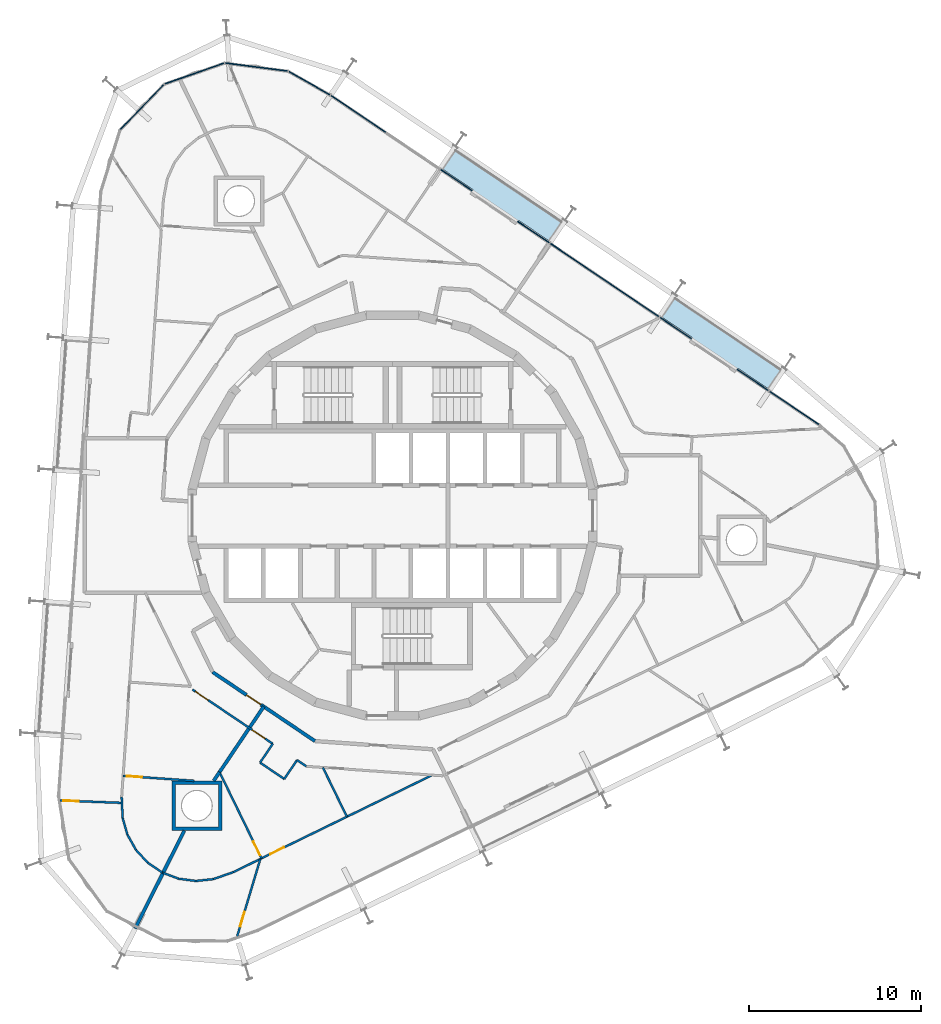
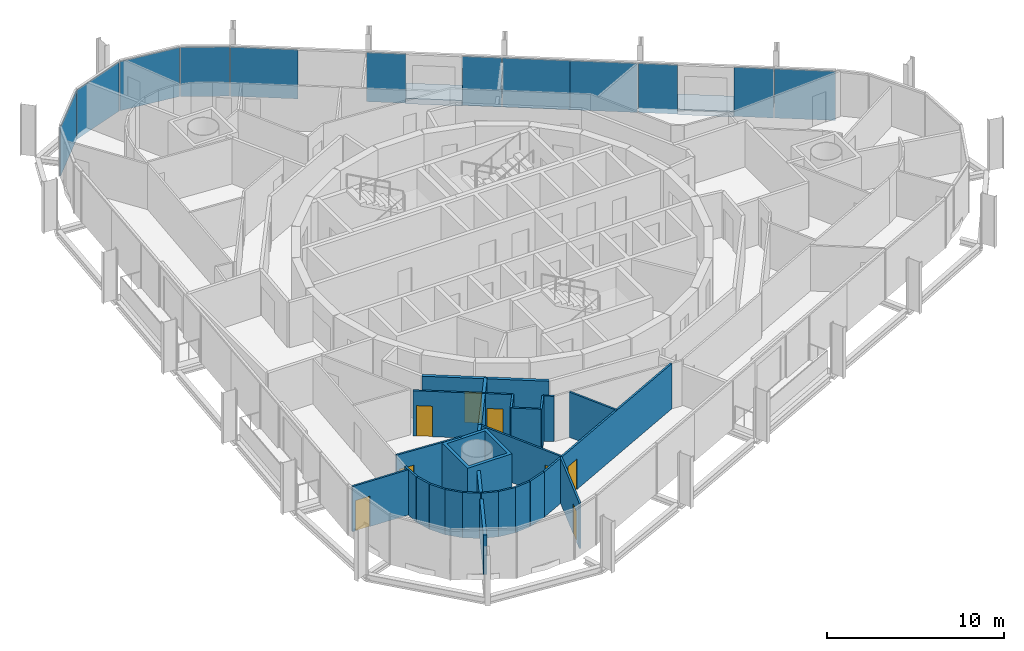
# One storey, part 11 of 18: 25 walls, 12 plates, 8 doors, 2 slabs, 8 openings, 3 elements without a shape of their own.
"""IFC4 building model written with IfcOpenShell, lengths in metres."""

from ifc_helpers import new_model, si_unit, direction, frame, frame_2d, origin, origin_2d, place, context, subcontext, project, spatial, polyline, rectangle, outline, extrude, material, layer, layer_set, type_object, element, fill, aggregate, save


model = new_model("IFC4")

# Units and contexts
model_context = context("Model", 3, precision=1e-05, world=origin(), true_north=direction((0.0, 1.0)))
body_context = subcontext(model_context, "Body", "Model", "MODEL_VIEW")
ifc_project = project(units=[si_unit("LENGTHUNIT", "METRE"), si_unit("AREAUNIT", "SQUARE_METRE"), si_unit("VOLUMEUNIT", "CUBIC_METRE"), si_unit("PLANEANGLEUNIT", "RADIAN"), si_unit("MASSUNIT", "GRAM", prefix="KILO")], contexts=[model_context])

# Site, building, storey
site_placement = place(None, origin())
site = spatial("IfcSite", under=ifc_project, at=site_placement, CompositionType="ELEMENT")
building_placement = place(site_placement, origin())
building = spatial("IfcBuilding", under=site, at=building_placement, Name="Spindle Arch Residences", CompositionType="ELEMENT")
storey_placement = place(building_placement, frame((0.0, 0.0, 205.89990234375)))
storey = spatial("IfcBuildingStorey", under=building, at=storey_placement, Name="L52", CompositionType="ELEMENT", Elevation=205.89990234375)

# Slabs
ifc_material_1 = material(Name="Concrete C40/50", Category="concrete")
ifc_layer_1 = layer(ifc_material_1, 0.3798828125)
ifc_layer_set_1 = layer_set([ifc_layer_1], Name="Balcony slab 380")
slab_type = type_object("IfcSlabType", Name="Balcony slab 380", PredefinedType="FLOOR", material=ifc_layer_set_1)
slab_1_placement = place(storey_placement, frame((0.0, 0.0, -0.3798828125)))
element("IfcSlab", 1, at=slab_1_placement, inside=storey, type_object=slab_type, Name="Balcony L52 bay 6", PredefinedType="FLOOR", context=body_context, shape_type="SweptSolid", body=[
    extrude(outline(polyline([(22.720703125, 8.594970703125), (22.658447265625, 8.63671875), (22.57470703125, 8.512451171875), (16.445068359375, 12.64697265625), (16.52880859375, 12.771240234375), (16.466796875, 12.813232421875), (15.633544921875, 11.578125), (17.43408203125, 10.363525390625), (17.344482421875, 10.23095703125), (19.99755859375, 8.44140625), (20.0869140625, 8.57421875), (21.887451171875, 7.359619140625), (22.720703125, 8.594970703125)])), origin(), (0.0, 0.0, 1.0), 0.3798828125),
])
slab_2_placement = place(storey_placement, frame((0.0, 0.0, -0.3798828125)))
element("IfcSlab", 2, at=slab_2_placement, inside=storey, type_object=slab_type, Name="Balcony L52 bay 8", PredefinedType="FLOOR", context=body_context, shape_type="SweptSolid", body=[
    extrude(outline(polyline([(9.9638671875, 17.199462890625), (9.90185546875, 17.241455078125), (9.81787109375, 17.116943359375), (3.688232421875, 21.25146484375), (3.772216796875, 21.3759765625), (3.7099609375, 21.417724609375), (2.876708984375, 20.1826171875), (4.67724609375, 18.968017578125), (4.587890625, 18.83544921875), (7.24072265625, 17.0458984375), (7.330322265625, 17.1787109375), (9.130859375, 15.964111328125), (9.9638671875, 17.199462890625)])), origin(), (0.0, 0.0, 1.0), 0.3798828125),
])

# Curtain wall, plate
ifc_material_2 = material(Name="Aluminium bronze unitised frame with tinted glass", Category="aluminium")
ifc_layer_2 = layer(ifc_material_2, 0.159912109375)
ifc_layer_set_2 = layer_set([ifc_layer_2], Name="CW-D corner wall on the fillet arcs")
curtain_wall_type_1 = type_object("IfcCurtainWallType", Name="CW-D corner wall on the fillet arcs", PredefinedType="NOTDEFINED", material=ifc_layer_set_2)
curtain_wall_1_placement = place(storey_placement, origin())
curtain_wall_1 = element("IfcCurtainWall", 3, at=curtain_wall_1_placement, inside=storey, type_object=curtain_wall_type_1, Name="CW-D L52 run 1", PredefinedType="NOTDEFINED")
ifc_material_3 = material(Name="Tinted double glazing over aluminium faced non-combustible spandrel zone (K0)", Category="aluminium")
ifc_layer_3 = layer(ifc_material_3, 0.06005859375)
ifc_layer_set_3 = layer_set([ifc_layer_3], Name="Unitised glass panel with E 60 spandrel zone")
plate_type = type_object("IfcPlateType", Name="Unitised glass panel with E 60 spandrel zone", PredefinedType="CURTAIN_PANEL", material=ifc_layer_set_3)
plate_1_placement = place(storey_placement, frame((23.36767578125, 6.264892578125, -0.3798828125), z_axis=(0.0, 0.0, 1.0), x_axis=(-0.829037572555, 0.559192903471, 0.0)))
plate_1 = element("IfcPlate", 4, at=plate_1_placement, type_object=plate_type, Name="CW-D unit 06", PredefinedType="CURTAIN_PANEL", context=body_context, shape_type="SweptSolid", body=[
    extrude(rectangle(XDim=3.468505859375, YDim=0.06005859375, at=origin_2d()), origin(), (0.0, 0.0, 1.0), 3.3798828125),
])
aggregate(curtain_wall_1, [plate_1])

# Curtain wall, plates
ifc_material_4 = material(Name="Aluminium bronze unitised frame with tinted glass", Category="aluminium")
ifc_layer_4 = layer(ifc_material_4, 0.159912109375)
ifc_layer_set_4 = layer_set([ifc_layer_4], Name="CW-C typical residential unitised wall")
curtain_wall_type_2 = type_object("IfcCurtainWallType", Name="CW-C typical residential unitised wall", PredefinedType="NOTDEFINED", material=ifc_layer_set_4)
curtain_wall_2_placement = place(storey_placement, origin())
curtain_wall_2 = element("IfcCurtainWall", 5, at=curtain_wall_2_placement, inside=storey, type_object=curtain_wall_type_2, Name="CW-C L52 run 2", PredefinedType="NOTDEFINED")
plate_2_placement = place(storey_placement, frame((20.961181640625, 7.887939453125, -0.3798828125), z_axis=(0.0, 0.0, 1.0), x_axis=(-0.829037572555, 0.559192903471, 0.0)))
plate_2 = element("IfcPlate", 6, at=plate_2_placement, type_object=plate_type, Name="CW-C unit 05L", PredefinedType="CURTAIN_PANEL", context=body_context, shape_type="SweptSolid", body=[
    extrude(rectangle(XDim=2.216796875, YDim=0.06005859375, at=origin_2d()), origin(), (0.0, 0.0, 1.0), 3.3798828125),
])
plate_3_placement = place(storey_placement, frame((16.470458984375, 10.9169921875, -0.3798828125), z_axis=(0.0, 0.0, 1.0), x_axis=(-0.829037572555, 0.559192903471, 0.0)))
plate_3 = element("IfcPlate", 7, at=plate_3_placement, type_object=plate_type, Name="CW-C unit 05R", PredefinedType="CURTAIN_PANEL", context=body_context, shape_type="SweptSolid", body=[
    extrude(rectangle(XDim=2.216796875, YDim=0.06005859375, at=origin_2d()), origin(), (0.0, 0.0, 1.0), 3.3798828125),
])
plate_4_placement = place(storey_placement, frame((13.919677734375, 12.6376953125, -0.3798828125), z_axis=(0.0, 0.0, 1.0), x_axis=(-0.829037572555, 0.559192903471, 0.0)))
plate_4 = element("IfcPlate", 8, at=plate_4_placement, type_object=plate_type, Name="CW-C unit 06A", PredefinedType="CURTAIN_PANEL", context=body_context, shape_type="SweptSolid", body=[
    extrude(rectangle(XDim=3.81689453125, YDim=0.06005859375, at=origin_2d()), origin(), (0.0, 0.0, 1.0), 3.3798828125),
])
plate_5_placement = place(storey_placement, frame((10.75537109375, 14.77197265625, -0.3798828125), z_axis=(0.0, 0.0, 1.0), x_axis=(-0.829037572555, 0.559192903471, 0.0)))
plate_5 = element("IfcPlate", 9, at=plate_5_placement, type_object=plate_type, Name="CW-C unit 06B", PredefinedType="CURTAIN_PANEL", context=body_context, shape_type="SweptSolid", body=[
    extrude(rectangle(XDim=3.81689453125, YDim=0.06005859375, at=origin_2d()), origin(), (0.0, 0.0, 1.0), 3.3798828125),
])
plate_6_placement = place(storey_placement, frame((8.204345703125, 16.492431640625, -0.3798828125), z_axis=(0.0, 0.0, 1.0), x_axis=(-0.829037572555, 0.559192903471, 0.0)))
plate_6 = element("IfcPlate", 10, at=plate_6_placement, type_object=plate_type, Name="CW-C unit 07L", PredefinedType="CURTAIN_PANEL", context=body_context, shape_type="SweptSolid", body=[
    extrude(rectangle(XDim=2.216796875, YDim=0.06005859375, at=origin_2d()), origin(), (0.0, 0.0, 1.0), 3.3798828125),
])
plate_7_placement = place(storey_placement, frame((3.713623046875, 19.521484375, -0.3798828125), z_axis=(0.0, 0.0, 1.0), x_axis=(-0.829037572555, 0.559192903471, 0.0)))
plate_7 = element("IfcPlate", 11, at=plate_7_placement, type_object=plate_type, Name="CW-C unit 07R", PredefinedType="CURTAIN_PANEL", context=body_context, shape_type="SweptSolid", body=[
    extrude(rectangle(XDim=2.216796875, YDim=0.06005859375, at=origin_2d()), origin(), (0.0, 0.0, 1.0), 3.3798828125),
])
plate_8_placement = place(storey_placement, frame((-2.00146484375, 23.37646484375, -0.3798828125), z_axis=(0.0, 0.0, 1.0), x_axis=(-0.829037572555, 0.559192903471, 0.0)))
plate_8 = element("IfcPlate", 12, at=plate_8_placement, type_object=plate_type, Name="CW-C unit 08B", PredefinedType="CURTAIN_PANEL", context=body_context, shape_type="SweptSolid", body=[
    extrude(rectangle(XDim=3.81689453125, YDim=0.06005859375, at=origin_2d()), origin(), (0.0, 0.0, 1.0), 3.3798828125),
])
aggregate(curtain_wall_2, [plate_2, plate_3, plate_4, plate_5, plate_6, plate_7, plate_8])

curtain_wall_3_placement = place(storey_placement, origin())
curtain_wall_3 = element("IfcCurtainWall", 13, at=curtain_wall_3_placement, inside=storey, type_object=curtain_wall_type_1, Name="CW-D L52 run 3", PredefinedType="NOTDEFINED")
plate_9_placement = place(storey_placement, frame((-4.84130859375, 25.16064453125, -0.3798828125), z_axis=(0.0, 0.0, 1.0), x_axis=(-0.86953871595, 0.493864780547, 0.0)))
plate_9 = element("IfcPlate", 14, at=plate_9_placement, type_object=plate_type, Name="CW-D unit 00", PredefinedType="CURTAIN_PANEL", context=body_context, shape_type="SweptSolid", body=[
    extrude(rectangle(XDim=2.775634765625, YDim=0.06005859375, at=origin_2d()), origin(), (0.0, 0.0, 1.0), 3.3798828125),
])
plate_10_placement = place(storey_placement, frame((-7.92236328125, 26.0986328125, -0.3798828125), z_axis=(0.0, 0.0, 1.0), x_axis=(-0.991820351023, 0.127641651888, 0.0)))
plate_10 = element("IfcPlate", 15, at=plate_10_placement, type_object=plate_type, Name="CW-D unit 01", PredefinedType="CURTAIN_PANEL", context=body_context, shape_type="SweptSolid", body=[
    extrude(rectangle(XDim=3.666748046875, YDim=0.06005859375, at=origin_2d()), origin(), (0.0, 0.0, 1.0), 3.3798828125),
])
plate_11_placement = place(storey_placement, frame((-11.52880859375, 25.7197265625, -0.3798828125), z_axis=(0.0, 0.0, 1.0), x_axis=(-0.943608508302, -0.331063412445, 0.0)))
plate_11 = element("IfcPlate", 16, at=plate_11_placement, type_object=plate_type, Name="CW-D unit 02", PredefinedType="CURTAIN_PANEL", context=body_context, shape_type="SweptSolid", body=[
    extrude(rectangle(XDim=3.666748046875, YDim=0.06005859375, at=origin_2d()), origin(), (0.0, 0.0, 1.0), 3.3798828125),
])
plate_12_placement = place(storey_placement, frame((-14.58154296875, 23.762451171875, -0.3798828125), z_axis=(0.0, 0.0, 1.0), x_axis=(-0.694658368802, -0.719339801939, 0.0)))
plate_12 = element("IfcPlate", 17, at=plate_12_placement, type_object=plate_type, Name="CW-D unit 03", PredefinedType="CURTAIN_PANEL", context=body_context, shape_type="SweptSolid", body=[
    extrude(rectangle(XDim=3.666748046875, YDim=0.06005859375, at=origin_2d()), origin(), (0.0, 0.0, 1.0), 3.3798828125),
])
aggregate(curtain_wall_3, [plate_9, plate_10, plate_11, plate_12])

# Wall, opening, door
ifc_material_5 = material(Name="Calcium silicate block, plastered")
ifc_layer_5 = layer(ifc_material_5, 0.199951171875)
ifc_layer_set_5 = layer_set([ifc_layer_5], Name="Corridor wall 200")
wall_type_1 = type_object("IfcWallType", Name="Corridor wall 200", PredefinedType="STANDARD", material=ifc_layer_set_5)
wall_1_placement = place(storey_placement, frame((-10.469970703125, -9.101318359375, 0.0), z_axis=(0.0, 0.0, 1.0), x_axis=(0.829035841718, -0.559195469534, 0.0)))
wall_1 = element("IfcWall", 18, at=wall_1_placement, inside=storey, type_object=wall_type_1, Name="Corridor wall R5B1-W017", PredefinedType="STANDARD", context=body_context, shape_type="SweptSolid", body=[
    extrude(rectangle(XDim=7.18115234375, YDim=0.199951171875, at=frame_2d((3.590576171875, 0.0))), origin(), (0.0, 0.0, 1.0), 3.1201171875),
])
opening_1_placement = place(wall_1_placement, frame((2.390380859375, 0.0, 0.0)))
opening_1 = element("IfcOpeningElement", 19, at=opening_1_placement, cuts=wall_1, Name="Opening R5B1-FD04", PredefinedType="OPENING", context=body_context, shape_type="SweptSolid", body=[
    extrude(rectangle(XDim=1.0, YDim=2.10009765625, at=frame_2d((0.5, 1.050048828125))), frame((0.0, 0.10986328125, 0.0), z_axis=(0.0, -1.0, 0.0), x_axis=(1.0, 0.0, 0.0)), (0.0, 0.0, 1.0), 0.219970703125),
])
ifc_material_6 = material(Name="Timber, fire-resisting door set", Category="wood")
door_type_1 = type_object("IfcDoorType", Name="Flat entrance door 1000x2100", OperationType="NOTDEFINED", PredefinedType="DOOR", material=ifc_material_6)
door_1_placement = place(opening_1_placement, origin())
door_1 = element("IfcDoor", 20, at=door_1_placement, inside=storey, type_object=door_type_1, Name="Flat entrance door R5B1-FD04", OperationType="SINGLE_SWING_RIGHT", OverallHeight=2.10009765625, OverallWidth=1.0, PredefinedType="DOOR", context=body_context, shape_type="SweptSolid", body=[
    extrude(rectangle(XDim=1.0, YDim=2.10009765625, at=frame_2d((0.5, 1.050048828125))), frame((0.0, 0.02490234375, 0.0), z_axis=(0.0, -1.0, 0.0), x_axis=(1.0, 0.0, 0.0)), (0.0, 0.0, 1.0), 0.050048828125),
])
fill(opening_1, door_1)

# Wall, openings, doors
ifc_material_7 = material(Name="Plasterboard on steel studs", Category="steel")
ifc_layer_6 = layer(ifc_material_7, 0.1201171875)
ifc_layer_set_6 = layer_set([ifc_layer_6], Name="Flat partition 120")
wall_type_2 = type_object("IfcWallType", Name="Flat partition 120", PredefinedType="PARTITIONING", material=ifc_layer_set_6)
wall_2_placement = place(storey_placement, frame((-11.641845703125, -10.1201171875, 0.0), z_axis=(0.0, 0.0, 1.0), x_axis=(0.829033377599, -0.559199122698, 0.0)))
wall_2 = element("IfcWall", 21, at=wall_2_placement, inside=storey, type_object=wall_type_2, Name="Flat partition R5B1-W077", PredefinedType="PARTITIONING", context=body_context, shape_type="SweptSolid", body=[
    extrude(rectangle(XDim=5.6376953125, YDim=0.1201171875, at=frame_2d((2.81884765625, 0.0))), origin(), (0.0, 0.0, 1.0), 3.1201171875),
])
opening_2_placement = place(wall_2_placement, frame((0.199951171875, 0.0, 0.0)))
opening_2 = element("IfcOpeningElement", 22, at=opening_2_placement, cuts=wall_2, Name="Opening R5B1-ID14", PredefinedType="OPENING", context=body_context, shape_type="SweptSolid", body=[
    extrude(rectangle(XDim=0.89990234375, YDim=2.10009765625, at=frame_2d((0.449951171875, 1.050048828125))), frame((0.0, 0.070068359375, 0.0), z_axis=(0.0, -1.0, 0.0), x_axis=(1.0, 0.0, 0.0)), (0.0, 0.0, 1.0), 0.14013671875),
])
opening_3_placement = place(wall_2_placement, frame((4.1923828125, 0.0, 0.0)))
opening_3 = element("IfcOpeningElement", 23, at=opening_3_placement, cuts=wall_2, Name="Opening R5B1-ID18", PredefinedType="OPENING", context=body_context, shape_type="SweptSolid", body=[
    extrude(rectangle(XDim=0.89990234375, YDim=2.10009765625, at=frame_2d((0.449951171875, 1.050048828125))), frame((0.0, 0.070068359375, 0.0), z_axis=(0.0, -1.0, 0.0), x_axis=(1.0, 0.0, 0.0)), (0.0, 0.0, 1.0), 0.14013671875),
])
ifc_material_8 = material(Name="Timber door set", Category="wood")
door_type_2 = type_object("IfcDoorType", Name="Room door 900x2100", OperationType="NOTDEFINED", PredefinedType="DOOR", material=ifc_material_8)
door_2_placement = place(opening_2_placement, origin())
door_2 = element("IfcDoor", 24, at=door_2_placement, inside=storey, type_object=door_type_2, Name="Room door R5B1-ID14", OperationType="SINGLE_SWING_RIGHT", OverallHeight=2.10009765625, OverallWidth=0.89990234375, PredefinedType="DOOR", context=body_context, shape_type="SweptSolid", body=[
    extrude(rectangle(XDim=0.89990234375, YDim=2.10009765625, at=frame_2d((0.449951171875, 1.050048828125))), frame((0.0, 0.02490234375, 0.0), z_axis=(0.0, -1.0, 0.0), x_axis=(1.0, 0.0, 0.0)), (0.0, 0.0, 1.0), 0.050048828125),
])
fill(opening_2, door_2)
door_3_placement = place(opening_3_placement, origin())
door_3 = element("IfcDoor", 25, at=door_3_placement, inside=storey, type_object=door_type_2, Name="Room door R5B1-ID18", OperationType="SINGLE_SWING_LEFT", OverallHeight=2.10009765625, OverallWidth=0.89990234375, PredefinedType="DOOR", context=body_context, shape_type="SweptSolid", body=[
    extrude(rectangle(XDim=0.89990234375, YDim=2.10009765625, at=frame_2d((0.449951171875, 1.050048828125))), frame((0.0, 0.02490234375, 0.0), z_axis=(0.0, -1.0, 0.0), x_axis=(1.0, 0.0, 0.0)), (0.0, 0.0, 1.0), 0.050048828125),
])
fill(opening_3, door_3)

# Wall, opening, door
wall_3_placement = place(storey_placement, frame((-19.354736328125, -16.5751953125, 0.0), z_axis=(0.0, 0.0, 1.0), x_axis=(0.999268343647, -0.038246272823, 0.0)))
wall_3 = element("IfcWall", 26, at=wall_3_placement, inside=storey, type_object=wall_type_2, Name="Flat partition R5B1-W080", PredefinedType="PARTITIONING", context=body_context, shape_type="SweptSolid", body=[
    extrude(rectangle(XDim=3.613037109375, YDim=0.1201171875, at=frame_2d((1.806640625, 0.0))), origin(), (0.0, 0.0, 1.0), 3.1201171875),
])
opening_4_placement = place(wall_3_placement, frame((0.199951171875, 0.0, 0.0)))
opening_4 = element("IfcOpeningElement", 27, at=opening_4_placement, cuts=wall_3, Name="Opening R5B1-ID17", PredefinedType="OPENING", context=body_context, shape_type="SweptSolid", body=[
    extrude(rectangle(XDim=0.89990234375, YDim=2.10009765625, at=frame_2d((0.449951171875, 1.050048828125))), frame((0.0, 0.070068359375, 0.0), z_axis=(0.0, -1.0, 0.0), x_axis=(1.0, 0.0, 0.0)), (0.0, 0.0, 1.0), 0.14013671875),
])
door_4_placement = place(opening_4_placement, origin())
door_4 = element("IfcDoor", 28, at=door_4_placement, inside=storey, type_object=door_type_2, Name="Room door R5B1-ID17", OperationType="SINGLE_SWING_RIGHT", OverallHeight=2.10009765625, OverallWidth=0.89990234375, PredefinedType="DOOR", context=body_context, shape_type="SweptSolid", body=[
    extrude(rectangle(XDim=0.89990234375, YDim=2.10009765625, at=frame_2d((0.449951171875, 1.050048828125))), frame((0.0, 0.02490234375, 0.0), z_axis=(0.0, -1.0, 0.0), x_axis=(1.0, 0.0, 0.0)), (0.0, 0.0, 1.0), 0.050048828125),
])
fill(opening_4, door_4)

# Wall
wall_4_placement = place(storey_placement, frame((-15.70361328125, -17.590087890625, 0.0), z_axis=(0.0, 0.0, 1.0), x_axis=(-0.046364428258, 0.998924591645, 0.0)))
element("IfcWall", 29, at=wall_4_placement, inside=storey, type_object=wall_type_2, Name="Flat partition R5B1-W081", PredefinedType="PARTITIONING", context=body_context, shape_type="SweptSolid", body=[
    extrude(rectangle(XDim=1.226806640625, YDim=0.1201171875, at=frame_2d((0.61328125, 0.0))), origin(), (0.0, 0.0, 1.0), 3.1201171875),
])

# Wall, opening, door
wall_5_placement = place(storey_placement, frame((-15.675048828125, -15.14111328125, 0.0), z_axis=(0.0, 0.0, 1.0), x_axis=(0.997563107735, -0.06976995117, 0.0)))
wall_5 = element("IfcWall", 30, at=wall_5_placement, inside=storey, type_object=wall_type_2, Name="Flat partition R5B1-W082", PredefinedType="PARTITIONING", context=body_context, shape_type="SweptSolid", body=[
    extrude(rectangle(XDim=4.146484375, YDim=0.1201171875, at=frame_2d((2.0732421875, 0.0))), origin(), (0.0, 0.0, 1.0), 3.1201171875),
])
opening_5_placement = place(wall_5_placement, frame((0.199951171875, 0.0, 0.0)))
opening_5 = element("IfcOpeningElement", 31, at=opening_5_placement, cuts=wall_5, Name="Opening R5B1-ID16", PredefinedType="OPENING", context=body_context, shape_type="SweptSolid", body=[
    extrude(rectangle(XDim=0.89990234375, YDim=2.10009765625, at=frame_2d((0.449951171875, 1.050048828125))), frame((0.0, 0.070068359375, 0.0), z_axis=(0.0, -1.0, 0.0), x_axis=(1.0, 0.0, 0.0)), (0.0, 0.0, 1.0), 0.14013671875),
])
door_5_placement = place(opening_5_placement, origin())
door_5 = element("IfcDoor", 32, at=door_5_placement, inside=storey, type_object=door_type_2, Name="Room door R5B1-ID16", OperationType="SINGLE_SWING_RIGHT", OverallHeight=2.10009765625, OverallWidth=0.89990234375, PredefinedType="DOOR", context=body_context, shape_type="SweptSolid", body=[
    extrude(rectangle(XDim=0.89990234375, YDim=2.10009765625, at=frame_2d((0.449951171875, 1.050048828125))), frame((0.0, 0.02490234375, 0.0), z_axis=(0.0, -1.0, 0.0), x_axis=(1.0, 0.0, 0.0)), (0.0, 0.0, 1.0), 0.050048828125),
])
fill(opening_5, door_5)

# Walls
for number, where, z_axis, x_axis, name in (
    (33, (-13.39501953125, -20.767333984375, 0.0), (0.0, 0.0, 1.0), (-0.829155030747, 0.559018725077, 0.0), "Flat partition R5B1-W083"),
    (34, (-14.2373046875, -20.199462890625, 0.0), (0.0, 0.0, 1.0), (-0.677681015856, 0.735355995929, 0.0), "Flat partition R5B1-W084"),
):
    element("IfcWall", number, at=place(storey_placement, frame(where, z_axis=z_axis, x_axis=x_axis)), inside=storey, type_object=wall_type_2, Name=name, PredefinedType="PARTITIONING", context=body_context, shape_type="SweptSolid", body=[
        extrude(rectangle(XDim=1.015869140625, YDim=0.1201171875, at=frame_2d((0.5078125, 0.0))), origin(), (0.0, 0.0, 1.0), 3.1201171875),
    ])
wall_6_placement = place(storey_placement, frame((-14.92578125, -19.452392578125, 0.0), z_axis=(0.0, 0.0, 1.0), x_axis=(-0.489941776958, 0.871755157823, 0.0)))
element("IfcWall", 35, at=wall_6_placement, inside=storey, type_object=wall_type_2, Name="Flat partition R5B1-W085", PredefinedType="PARTITIONING", context=body_context, shape_type="SweptSolid", body=[
    extrude(rectangle(XDim=1.01611328125, YDim=0.1201171875, at=frame_2d((0.508056640625, 0.0))), origin(), (0.0, 0.0, 1.0), 3.1201171875),
])
wall_7_placement = place(storey_placement, frame((-15.423583984375, -18.566650390625, 0.0), z_axis=(0.0, 0.0, 1.0), x_axis=(-0.275641454312, 0.961260520704, 0.0)))
element("IfcWall", 36, at=wall_7_placement, inside=storey, type_object=wall_type_2, Name="Flat partition R5B1-W086", PredefinedType="PARTITIONING", context=body_context, shape_type="SweptSolid", body=[
    extrude(rectangle(XDim=1.015869140625, YDim=0.1201171875, at=frame_2d((0.5078125, 0.0))), origin(), (0.0, 0.0, 1.0), 3.1201171875),
])
wall_8_placement = place(storey_placement, frame((-6.968017578125, -13.272705078125, 0.0), z_axis=(0.0, 0.0, 1.0), x_axis=(-0.559283007371, -0.828976789582, 0.0)))
element("IfcWall", 37, at=wall_8_placement, inside=storey, type_object=wall_type_2, Name="Flat partition R5B1-W087", PredefinedType="PARTITIONING", context=body_context, shape_type="SweptSolid", body=[
    extrude(rectangle(XDim=1.3251953125, YDim=0.1201171875, at=frame_2d((0.66259765625, 0.0))), origin(), (0.0, 0.0, 1.0), 3.1201171875),
])
wall_9_placement = place(storey_placement, frame((-7.709228515625, -14.371337890625, 0.0), z_axis=(0.0, 0.0, 1.0), x_axis=(0.829033422808, -0.559199055675, 0.0)))
element("IfcWall", 38, at=wall_9_placement, inside=storey, type_object=wall_type_2, Name="Flat partition R5B1-W088", PredefinedType="PARTITIONING", context=body_context, shape_type="SweptSolid", body=[
    extrude(rectangle(XDim=1.7001953125, YDim=0.1201171875, at=frame_2d((0.85009765625, 0.0))), origin(), (0.0, 0.0, 1.0), 3.1201171875),
])
wall_10_placement = place(storey_placement, frame((-6.2998046875, -15.322021484375, 0.0), z_axis=(0.0, 0.0, 1.0), x_axis=(0.559197608403, 0.829034399019, 0.0)))
element("IfcWall", 39, at=wall_10_placement, inside=storey, type_object=wall_type_2, Name="Flat partition R5B1-W089", PredefinedType="PARTITIONING", context=body_context, shape_type="SweptSolid", body=[
    extrude(rectangle(XDim=1.325439453125, YDim=0.1201171875, at=frame_2d((0.66259765625, 0.0))), origin(), (0.0, 0.0, 1.0), 3.1201171875),
])
wall_11_placement = place(storey_placement, frame((-5.55859375, -14.22314453125, 0.0), z_axis=(0.0, 0.0, 1.0), x_axis=(0.828844300469, -0.559479334363, 0.0)))
element("IfcWall", 40, at=wall_11_placement, inside=storey, type_object=wall_type_2, Name="Flat partition R5B1-W090", PredefinedType="PARTITIONING", context=body_context, shape_type="SweptSolid", body=[
    extrude(rectangle(XDim=0.647216796875, YDim=0.1201171875, at=frame_2d((0.32373046875, 0.0))), origin(), (0.0, 0.0, 1.0), 3.1201171875),
])
wall_12_placement = place(storey_placement, frame((-13.351318359375, -20.783935546875, 0.0), z_axis=(0.0, 0.0, 1.0), x_axis=(0.935644105077, -0.352944908781, 0.0)))
element("IfcWall", 41, at=wall_12_placement, inside=storey, type_object=wall_type_2, Name="Flat partition R5B1-W093", PredefinedType="PARTITIONING", context=body_context, shape_type="SweptSolid", body=[
    extrude(rectangle(XDim=0.968994140625, YDim=0.1201171875, at=frame_2d((0.484375, 0.0))), origin(), (0.0, 0.0, 1.0), 3.1201171875),
])
wall_13_placement = place(storey_placement, frame((-12.444580078125, -21.1259765625, 0.0), z_axis=(0.0, 0.0, 1.0), x_axis=(0.991824046735, -0.127612931625, 0.0)))
element("IfcWall", 42, at=wall_13_placement, inside=storey, type_object=wall_type_2, Name="Flat partition R5B1-W094", PredefinedType="PARTITIONING", context=body_context, shape_type="SweptSolid", body=[
    extrude(rectangle(XDim=1.015869140625, YDim=0.1201171875, at=frame_2d((0.5078125, 0.0))), origin(), (0.0, 0.0, 1.0), 3.1201171875),
])
wall_14_placement = place(storey_placement, frame((-11.43701171875, -21.255615234375, 0.0), z_axis=(0.0, 0.0, 1.0), x_axis=(0.994522555527, 0.104522182086, 0.0)))
element("IfcWall", 43, at=wall_14_placement, inside=storey, type_object=wall_type_2, Name="Flat partition R5B1-W095", PredefinedType="PARTITIONING", context=body_context, shape_type="SweptSolid", body=[
    extrude(rectangle(XDim=1.01611328125, YDim=0.1201171875, at=frame_2d((0.508056640625, 0.0))), origin(), (0.0, 0.0, 1.0), 3.1201171875),
])
wall_15_placement = place(storey_placement, frame((-10.426513671875, -21.1494140625, 0.0), z_axis=(0.0, 0.0, 1.0), x_axis=(0.943591256744, 0.331112579338, 0.0)))
element("IfcWall", 44, at=wall_15_placement, inside=storey, type_object=wall_type_2, Name="Flat partition R5B1-W096", PredefinedType="PARTITIONING", context=body_context, shape_type="SweptSolid", body=[
    extrude(rectangle(XDim=1.226806640625, YDim=0.1201171875, at=frame_2d((0.61328125, 0.0))), origin(), (0.0, 0.0, 1.0), 3.1201171875),
])

# Wall, opening, door
wall_16_placement = place(storey_placement, frame((-9.268798828125, -20.7431640625, 0.0), z_axis=(0.0, 0.0, 1.0), x_axis=(0.898796865831, 0.438365365846, 0.0)))
wall_16 = element("IfcWall", 45, at=wall_16_placement, inside=storey, type_object=wall_type_2, Name="Flat partition R5B1-W097", PredefinedType="PARTITIONING", context=body_context, shape_type="SweptSolid", body=[
    extrude(rectangle(XDim=12.878662109375, YDim=0.1201171875, at=frame_2d((6.439453125, 0.0))), origin(), (0.0, 0.0, 1.0), 3.1201171875),
])
opening_6_placement = place(wall_16_placement, frame((2.39453125, 0.0, 0.0)))
opening_6 = element("IfcOpeningElement", 46, at=opening_6_placement, cuts=wall_16, Name="Opening R5B1-ID20", PredefinedType="OPENING", context=body_context, shape_type="SweptSolid", body=[
    extrude(rectangle(XDim=0.89990234375, YDim=2.10009765625, at=frame_2d((0.449951171875, 1.050048828125))), frame((0.0, 0.070068359375, 0.0), z_axis=(0.0, -1.0, 0.0), x_axis=(1.0, 0.0, 0.0)), (0.0, 0.0, 1.0), 0.14013671875),
])
door_6_placement = place(opening_6_placement, origin())
door_6 = element("IfcDoor", 47, at=door_6_placement, inside=storey, type_object=door_type_2, Name="Room door R5B1-ID20", OperationType="SINGLE_SWING_LEFT", OverallHeight=2.10009765625, OverallWidth=0.89990234375, PredefinedType="DOOR", context=body_context, shape_type="SweptSolid", body=[
    extrude(rectangle(XDim=0.89990234375, YDim=2.10009765625, at=frame_2d((0.449951171875, 1.050048828125))), frame((0.0, 0.02490234375, 0.0), z_axis=(0.0, -1.0, 0.0), x_axis=(1.0, 0.0, 0.0)), (0.0, 0.0, 1.0), 0.050048828125),
])
fill(opening_6, door_6)

wall_17_placement = place(storey_placement, frame((-7.619873046875, -19.93896484375, 0.0), z_axis=(0.0, 0.0, 1.0), x_axis=(-0.438353807908, 0.89880250283, 0.0)))
wall_17 = element("IfcWall", 48, at=wall_17_placement, inside=storey, type_object=wall_type_2, Name="Flat partition R5B1-W098", PredefinedType="PARTITIONING", context=body_context, shape_type="SweptSolid", body=[
    extrude(rectangle(XDim=5.580078125, YDim=0.1201171875, at=frame_2d((2.7900390625, 0.0))), origin(), (0.0, 0.0, 1.0), 3.1201171875),
])
opening_7_placement = place(wall_17_placement, frame((0.199951171875, 0.0, 0.0)))
opening_7 = element("IfcOpeningElement", 49, at=opening_7_placement, cuts=wall_17, Name="Opening R5B1-ID19", PredefinedType="OPENING", context=body_context, shape_type="SweptSolid", body=[
    extrude(rectangle(XDim=0.89990234375, YDim=2.10009765625, at=frame_2d((0.449951171875, 1.050048828125))), frame((0.0, 0.070068359375, 0.0), z_axis=(0.0, -1.0, 0.0), x_axis=(1.0, 0.0, 0.0)), (0.0, 0.0, 1.0), 0.14013671875),
])
door_7_placement = place(opening_7_placement, origin())
door_7 = element("IfcDoor", 50, at=door_7_placement, inside=storey, type_object=door_type_2, Name="Room door R5B1-ID19", OperationType="SINGLE_SWING_LEFT", OverallHeight=2.10009765625, OverallWidth=0.89990234375, PredefinedType="DOOR", context=body_context, shape_type="SweptSolid", body=[
    extrude(rectangle(XDim=0.89990234375, YDim=2.10009765625, at=frame_2d((0.449951171875, 1.050048828125))), frame((0.0, 0.02490234375, 0.0), z_axis=(0.0, -1.0, 0.0), x_axis=(1.0, 0.0, 0.0)), (0.0, 0.0, 1.0), 0.050048828125),
])
fill(opening_7, door_7)

wall_18_placement = place(storey_placement, frame((-9.041015625, -24.478515625, 0.0), z_axis=(0.0, 0.0, 1.0), x_axis=(0.286804727102, 0.957989064923, 0.0)))
wall_18 = element("IfcWall", 51, at=wall_18_placement, inside=storey, type_object=wall_type_2, Name="Flat partition R5B1-W099", PredefinedType="PARTITIONING", context=body_context, shape_type="SweptSolid", body=[
    extrude(rectangle(XDim=4.701416015625, YDim=0.1201171875, at=frame_2d((2.3505859375, 0.0))), origin(), (0.0, 0.0, 1.0), 3.1201171875),
])
opening_8_placement = place(wall_18_placement, frame((0.60009765625, 0.0, 0.0)))
opening_8 = element("IfcOpeningElement", 52, at=opening_8_placement, cuts=wall_18, Name="Opening R5B1-ID21", PredefinedType="OPENING", context=body_context, shape_type="SweptSolid", body=[
    extrude(rectangle(XDim=0.89990234375, YDim=2.10009765625, at=frame_2d((0.449951171875, 1.050048828125))), frame((0.0, 0.070068359375, 0.0), z_axis=(0.0, -1.0, 0.0), x_axis=(1.0, 0.0, 0.0)), (0.0, 0.0, 1.0), 0.14013671875),
])
door_8_placement = place(opening_8_placement, origin())
door_8 = element("IfcDoor", 53, at=door_8_placement, inside=storey, type_object=door_type_2, Name="Room door R5B1-ID21", OperationType="SINGLE_SWING_LEFT", OverallHeight=2.10009765625, OverallWidth=0.89990234375, PredefinedType="DOOR", context=body_context, shape_type="SweptSolid", body=[
    extrude(rectangle(XDim=0.89990234375, YDim=2.10009765625, at=frame_2d((0.449951171875, 1.050048828125))), frame((0.0, 0.02490234375, 0.0), z_axis=(0.0, -1.0, 0.0), x_axis=(1.0, 0.0, 0.0)), (0.0, 0.0, 1.0), 0.050048828125),
])
fill(opening_8, door_8)

# Walls
wall_19_placement = place(storey_placement, frame((-2.65673828125, -17.518310546875, 0.0), z_axis=(0.0, 0.0, 1.0), x_axis=(-0.438339139088, 0.898809656792, 0.0)))
element("IfcWall", 54, at=wall_19_placement, inside=storey, type_object=wall_type_2, Name="Flat partition R5B1-W100", PredefinedType="PARTITIONING", context=body_context, shape_type="SweptSolid", body=[
    extrude(rectangle(XDim=3.18798828125, YDim=0.1201171875, at=frame_2d((1.593994140625, 0.0))), origin(), (0.0, 0.0, 1.0), 3.1201171875),
])
ifc_material_9 = material(Name="Calcium silicate block, plastered")
ifc_layer_7 = layer(ifc_material_9, 0.199951171875)
ifc_layer_set_7 = layer_set([ifc_layer_7], Name="Flat party wall 200")
wall_type_3 = type_object("IfcWallType", Name="Flat party wall 200", PredefinedType="STANDARD", material=ifc_layer_set_7)
wall_20_placement = place(storey_placement, frame((-10.06591796875, -14.923583984375, 0.0), z_axis=(0.0, 0.0, 1.0), x_axis=(0.559173899945, 0.829050390278, 0.0)))
element("IfcWall", 55, at=wall_20_placement, inside=storey, type_object=wall_type_3, Name="Flat party wall R5B1-W034", PredefinedType="STANDARD", context=body_context, shape_type="SweptSolid", body=[
    extrude(rectangle(XDim=4.60107421875, YDim=0.199951171875, at=frame_2d((2.300537109375, 0.0))), origin(), (0.0, 0.0, 1.0), 3.1201171875),
])
wall_21_placement = place(storey_placement, frame((-10.407958984375, -15.430419921875, 0.0), z_axis=(0.0, 0.0, 1.0), x_axis=(0.559390561924, 0.828904215956, 0.0)))
element("IfcWall", 56, at=wall_21_placement, inside=storey, type_object=wall_type_3, Name="Flat party wall R5B1-W035", PredefinedType="STANDARD", context=body_context, shape_type="SweptSolid", body=[
    extrude(rectangle(XDim=0.611572265625, YDim=0.199951171875, at=frame_2d((0.3056640625, 0.0))), origin(), (0.0, 0.0, 1.0), 3.1201171875),
])
ifc_material_10 = material(Name="Calcium silicate block, plastered")
ifc_layer_8 = layer(ifc_material_10, 0.199951171875)
ifc_layer_set_8 = layer_set([ifc_layer_8], Name="Flat party wall 200 under beam 2730")
wall_type_4 = type_object("IfcWallType", Name="Flat party wall 200 under beam 2730", PredefinedType="STANDARD", material=ifc_layer_set_8)
wall_22_placement = place(storey_placement, frame((-14.9794921875, -24.017333984375, 0.0), z_axis=(0.0, 0.0, 1.0), x_axis=(0.449711952388, 0.893173644864, 0.0)))
element("IfcWall", 57, at=wall_22_placement, inside=storey, type_object=wall_type_4, Name="Flat party wall R5B1-W036", PredefinedType="STANDARD", context=body_context, shape_type="SweptSolid", body=[
    extrude(rectangle(XDim=6.366943359375, YDim=0.199951171875, at=frame_2d((3.18359375, 0.0))), origin(), (0.0, 0.0, 1.0), 2.72998046875),
])
ifc_material_11 = material(Name="Calcium silicate block, plastered")
ifc_layer_9 = layer(ifc_material_11, 0.199951171875)
ifc_layer_set_9 = layer_set([ifc_layer_9], Name="Mega-column casing wall 200")
wall_type_5 = type_object("IfcWallType", Name="Mega-column casing wall 200", PredefinedType="STANDARD", material=ifc_layer_set_9)
wall_23_placement = place(storey_placement, origin())
element("IfcWall", 58, at=wall_23_placement, inside=storey, type_object=wall_type_5, Name="Mega-column casing wall R5B1-WC02", PredefinedType="STANDARD", context=body_context, shape_type="SweptSolid", body=[
    extrude(outline(polyline([(-9.93603515625, -15.430419921875), (-9.93603515625, -18.33056640625), (-12.8359375, -18.33056640625), (-12.8359375, -15.430419921875), (-9.93603515625, -15.430419921875)]), holes=[polyline([(-12.635986328125, -18.130615234375), (-10.135986328125, -18.130615234375), (-10.135986328125, -15.630615234375), (-12.635986328125, -15.630615234375), (-12.635986328125, -18.130615234375)])]), origin(), (0.0, 0.0, 1.0), 3.1201171875),
])

save(model, "model.ifc")
